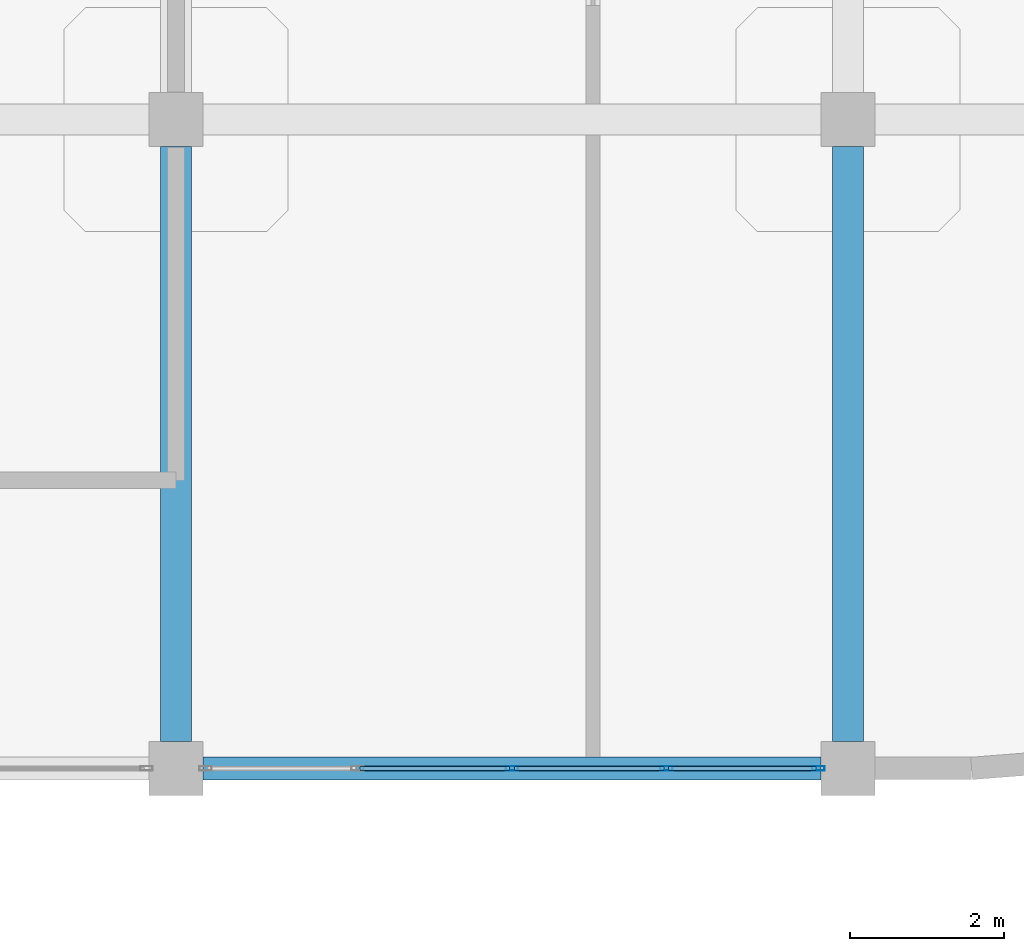
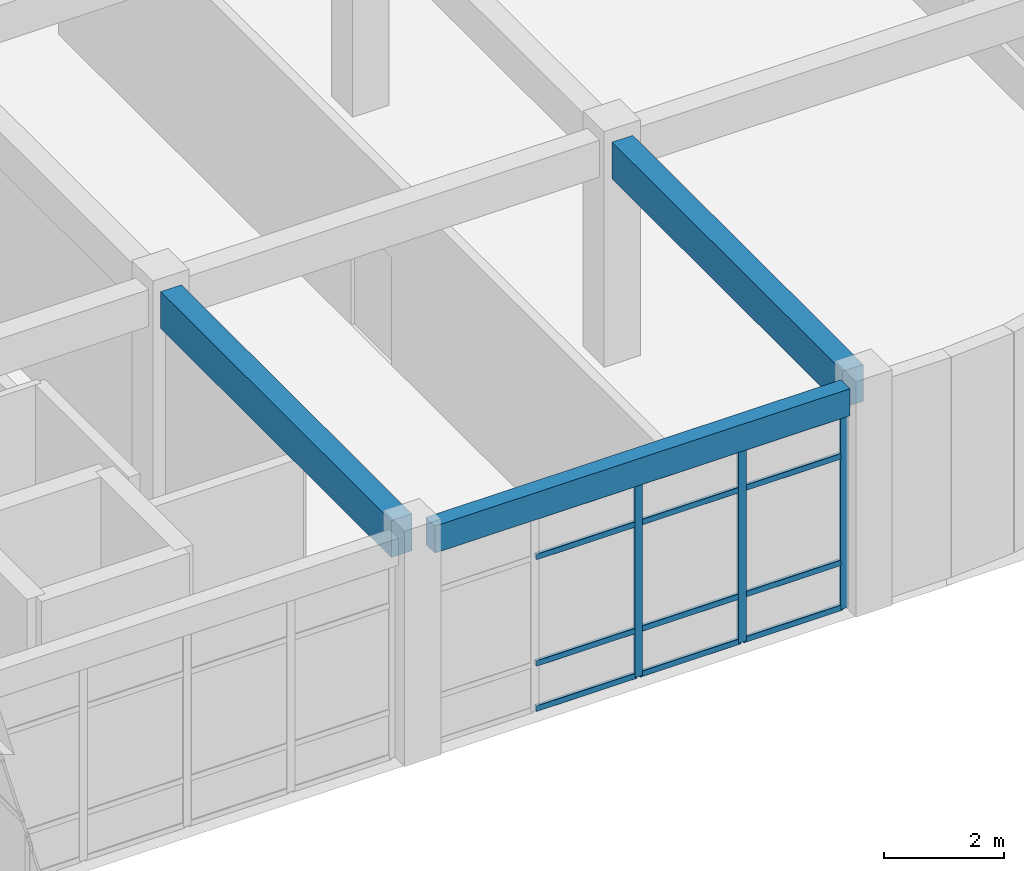
# One storey, part 41 of 64: 15 members, 3 beams, 1 element without a shape of its own.
"""IFC4 building model written with IfcOpenShell, lengths in metres."""

import ifcopenshell
import ifcopenshell.guid

model = None  # the IFC model being written
_history = None  # IfcOwnerHistory: only IFC2X3 demands one
_inside = {}  # id of a spatial element -> (the spatial element, [elements in it])
_under = {}  # id of a project, library or spatial element -> (it, [spatial elements below it])
_declared = {}  # id of a project -> (the project, [libraries it declares])
_typed = {}  # id of a type object -> (the type object, [elements of that type])
_made_of = {}  # id of a material, layer set ... -> (it, [elements and type objects made of it])


def new_model(schema):
    """Start an empty IFC model of exactly this schema.

    Asked for "IFC4X3", IfcOpenShell would pick the latest addendum, in which some entities
    have other attributes; the version numbers below select the first issue.
    IFC2X3 requires an IfcOwnerHistory on every rooted entity: one is made here for all.
    """
    global model, _history
    if schema == "IFC4X3":
        model = ifcopenshell.file(schema_version=(4, 3, 0, 0))
    else:
        model = ifcopenshell.file(schema=schema)
    _inside.clear()
    _under.clear()
    _declared.clear()
    _typed.clear()
    _made_of.clear()
    _history = None
    if model.schema == "IFC2X3":
        org = make("IfcOrganization", Name="unknown")
        user = make(
            "IfcPersonAndOrganization",
            ThePerson=make("IfcPerson", FamilyName="unknown"),
            TheOrganization=org,
        )
        app = make(
            "IfcApplication",
            ApplicationDeveloper=org,
            Version="unknown",
            ApplicationFullName="unknown",
            ApplicationIdentifier="unknown",
        )
        _history = make(
            "IfcOwnerHistory",
            OwningUser=user,
            OwningApplication=app,
            ChangeAction="ADDED",
            CreationDate=0,
        )
    return model


def make(cls, **values):
    """One entity of the class cls with the attributes given. An attribute that is None is left unset."""
    return model.create_entity(
        cls, **{name: value for name, value in values.items() if value is not None}
    )


def rooted(cls, **values):
    """An entity with a GlobalId (a new one), such as an element, a storey or a relation."""
    return make(cls, GlobalId=ifcopenshell.guid.new(), OwnerHistory=_history, **values)


def si_unit(unit_type, name, prefix=None):
    """IfcSIUnit, for example si_unit("LENGTHUNIT", "METRE", prefix="MILLI")."""
    return make("IfcSIUnit", UnitType=unit_type, Prefix=prefix, Name=name)


def derived_unit(unit_type, elements):
    """IfcDerivedUnit: a product of units, each with its exponent."""
    return make(
        "IfcDerivedUnit",
        Elements=[
            make("IfcDerivedUnitElement", Unit=unit, Exponent=power)
            for unit, power in elements
        ],
        UnitType=unit_type,
    )


def assignment(units):
    """IfcUnitAssignment: the units of a project."""
    return None if units is None else make("IfcUnitAssignment", Units=units)


def point(xyz):
    """IfcCartesianPoint."""
    return None if xyz is None else make("IfcCartesianPoint", Coordinates=xyz)


def direction(xyz):
    """IfcDirection."""
    return None if xyz is None else make("IfcDirection", DirectionRatios=xyz)


def frame(location, z_axis=None, x_axis=None):
    """IfcAxis2Placement3D, a coordinate frame: its origin and axes. An axis left out is left unset."""
    return make(
        "IfcAxis2Placement3D",
        Location=point(location),
        Axis=direction(z_axis),
        RefDirection=direction(x_axis),
    )


def frame_2d(location, x_axis=None):
    """IfcAxis2Placement2D, a coordinate frame in the plane: its origin and x axis."""
    return make(
        "IfcAxis2Placement2D", Location=point(location), RefDirection=direction(x_axis)
    )


def origin():
    """The frame at (0, 0, 0) with its axes left unset."""
    return frame((0.0, 0.0, 0.0))


def origin_2d():
    """The frame at (0, 0) in the plane with its x axis left unset."""
    return frame_2d((0.0, 0.0))


def place(relative_to, where):
    """IfcLocalPlacement: puts the frame where relative to a parent placement (None: the world)."""
    return make(
        "IfcLocalPlacement", PlacementRelTo=relative_to, RelativePlacement=where
    )


def context(
    kind, dimensions, precision=None, world=None, true_north=None, identifier=None
):
    """IfcGeometricRepresentationContext, for example the 3D "Model" context."""
    return make(
        "IfcGeometricRepresentationContext",
        ContextIdentifier=identifier,
        ContextType=kind,
        CoordinateSpaceDimension=dimensions,
        Precision=precision,
        WorldCoordinateSystem=world,
        TrueNorth=true_north,
    )


def subcontext(parent, identifier, kind, view, scale=None):
    """IfcGeometricRepresentationSubContext, for example "Body" below "Model"."""
    return make(
        "IfcGeometricRepresentationSubContext",
        ContextIdentifier=identifier,
        ContextType=kind,
        ParentContext=parent,
        TargetScale=scale,
        TargetView=view,
    )


def project(units=None, contexts=None):
    """IfcProject with its units and contexts."""
    return rooted(
        "IfcProject",
        Name="project",
        RepresentationContexts=contexts,
        UnitsInContext=assignment(units),
    )


def spatial(cls, under=None, at=None, **own):
    """A site, building, storey or space (cls), placed at a placement, below another one or the project."""
    s = rooted(cls, ObjectPlacement=at, **own)
    if under is not None:
        _under.setdefault(under.id(), (under, []))[1].append(s)
    return s


def profile(cls, at=None, kind="AREA", **sizes):
    """A parametric profile (cls). Its sizes go by their IFC names, for example OverallWidth=200.0."""
    return make(cls, ProfileType=kind, Position=at, **sizes)


def rectangle(**sizes):
    """IfcRectangleProfileDef."""
    return profile("IfcRectangleProfileDef", **sizes)


def hollow_rectangle(**sizes):
    """IfcRectangleHollowProfileDef."""
    return profile("IfcRectangleHollowProfileDef", **sizes)


def extrude(swept, where, along, depth):
    """IfcExtrudedAreaSolid: the profile swept, set in the frame where, extruded along a direction by depth."""
    return make(
        "IfcExtrudedAreaSolid",
        SweptArea=swept,
        Position=where,
        ExtrudedDirection=direction(along),
        Depth=depth,
    )


def shape(context_of_items, identifier, shape_type, items):
    """IfcShapeRepresentation: the items that make up one representation, for example the "Body"."""
    return make(
        "IfcShapeRepresentation",
        ContextOfItems=context_of_items,
        RepresentationIdentifier=identifier,
        RepresentationType=shape_type,
        Items=items,
    )


def material(Name=None, Category=None):
    """IfcMaterial."""
    return make("IfcMaterial", Name=Name, Category=Category)


def layer(
    of_material, thickness, ventilated=None, Name=None, Category=None, Priority=None
):
    """IfcMaterialLayer: one layer of a wall or slab, of a material (None: an air gap)."""
    return make(
        "IfcMaterialLayer",
        Material=of_material,
        LayerThickness=thickness,
        IsVentilated=ventilated,
        Name=Name,
        Category=Category,
        Priority=Priority,
    )


def layer_set(layers, Name=None):
    """IfcMaterialLayerSet."""
    return make("IfcMaterialLayerSet", MaterialLayers=layers, LayerSetName=Name)


def material_profile(
    of_material, cross_section, Name=None, Category=None, Priority=None
):
    """IfcMaterialProfile: a cross section and its material."""
    return make(
        "IfcMaterialProfile",
        Name=Name,
        Material=of_material,
        Profile=cross_section,
        Priority=Priority,
        Category=Category,
    )


def profile_set(profiles, Name=None, composite=None):
    """IfcMaterialProfileSet."""
    return make(
        "IfcMaterialProfileSet",
        Name=Name,
        MaterialProfiles=profiles,
        CompositeProfile=composite,
    )


def made_of(thing, what):
    """Note that an element or type object is made of a material, layer set ...; save() writes the relation."""
    if what is not None:
        _made_of.setdefault(what.id(), (what, []))[1].append(thing)
    return thing


def type_object(cls, material=None, **own):
    """A type object (cls), such as IfcWallType, which elements share."""
    return made_of(rooted(cls, **own), material)


def element(
    cls,
    number,
    at=None,
    inside=None,
    cuts=None,
    type_object=None,
    material=None,
    context=None,
    identifier="Body",
    shape_type=None,
    held_by="IfcProductDefinitionShape",
    body=None,
    shapes=None,
    **own,
):
    """One element of the class cls, such as IfcWall. Its Tag is "e" and its number.

    at: its placement. inside: the storey or other place that contains it. cuts: it is an
    opening in that element (IfcRelVoidsElement). A single representation is given by context,
    identifier, shape_type and body (its items); several are given by shapes. held_by: the class
    of the entity that holds the representations. save() writes the other relations.
    """
    e = rooted(cls, Tag="e%d" % number, ObjectPlacement=at, **own)
    if body is not None:
        shapes = [shape(context, identifier, shape_type, body)]
    if shapes is not None:
        e.Representation = make(held_by, Representations=shapes)
    if inside is not None:
        _inside.setdefault(inside.id(), (inside, []))[1].append(e)
    if cuts is not None:
        rooted(
            "IfcRelVoidsElement", RelatingBuildingElement=cuts, RelatedOpeningElement=e
        )
    if type_object is not None:
        _typed.setdefault(type_object.id(), (type_object, []))[1].append(e)
    return made_of(e, material)


def aggregate(whole, parts):
    """IfcRelAggregates: a whole, such as a stair, and the parts it consists of."""
    return rooted("IfcRelAggregates", RelatingObject=whole, RelatedObjects=parts)


def save(model, path):
    """Write the relations noted so far, then the file.

    IfcRelAggregates (storeys below a building ...), IfcRelContainedInSpatialStructure (elements
    in a storey), IfcRelDefinesByType, IfcRelAssociatesMaterial and IfcRelDeclares: one each for
    every whole, place, type object, material and project.
    """
    for whole, parts in _under.values():
        aggregate(whole, parts)
    for where, things in _inside.values():
        rooted(
            "IfcRelContainedInSpatialStructure",
            RelatedElements=things,
            RelatingStructure=where,
        )
    for kind, things in _typed.values():
        rooted("IfcRelDefinesByType", RelatedObjects=things, RelatingType=kind)
    for what, things in _made_of.values():
        rooted("IfcRelAssociatesMaterial", RelatedObjects=things, RelatingMaterial=what)
    for by, libraries in _declared.values():
        rooted("IfcRelDeclares", RelatingContext=by, RelatedDefinitions=libraries)
    model.write(path)


model = new_model("IFC4")

# Units and contexts
model_context = context("Model", 3, precision=1e-05, world=origin(), true_north=direction((0.0, 1.0)))
body_context = subcontext(model_context, "Body", "Model", "MODEL_VIEW")
ifc_project = project(units=[si_unit("LENGTHUNIT", "METRE"), si_unit("AREAUNIT", "SQUARE_METRE"), si_unit("VOLUMEUNIT", "CUBIC_METRE"), si_unit("PLANEANGLEUNIT", "RADIAN"), si_unit("MASSUNIT", "GRAM", prefix="KILO"), derived_unit("THERMALTRANSMITTANCEUNIT", [(si_unit("MASSUNIT", "GRAM", prefix="KILO"), 1), (si_unit("TIMEUNIT", "SECOND"), -3), (si_unit("THERMODYNAMICTEMPERATUREUNIT", "KELVIN"), -1)])], contexts=[model_context])

# Site, building, storey
site_placement = place(None, origin())
site = spatial("IfcSite", under=ifc_project, at=site_placement, CompositionType="ELEMENT")
building_placement = place(site_placement, origin())
building = spatial("IfcBuilding", under=site, at=building_placement, Name="Qinzheling Arcade Emporium", CompositionType="ELEMENT")
storey_placement = place(building_placement, frame((0.0, 0.0, 31.5)))
storey = spatial("IfcBuildingStorey", under=building, at=storey_placement, Name="L07", CompositionType="ELEMENT", Elevation=31.5)

# Curtain wall, members
ifc_material_1 = material(Name="Anodised aluminium and solar-control double glazing", Category="aluminium")
ifc_layer = layer(ifc_material_1, 0.159912109375, Name="Anodised aluminium and solar-control double glazing", Category="aluminium")
ifc_layer_set = layer_set([ifc_layer], Name="Anodised aluminium and solar-control double glazing")
curtain_wall_type = type_object("IfcCurtainWallType", Name="Arcade Portal Glazed Curtain Wall", PredefinedType="NOTDEFINED", material=ifc_layer_set)
curtain_wall_placement = place(storey_placement, origin())
curtain_wall = element("IfcCurtainWall", 1, at=curtain_wall_placement, inside=storey, type_object=curtain_wall_type, Name="Curtain Wall CW-L07-441", PredefinedType="NOTDEFINED")
ifc_material_2 = material(Name="Anodised aluminium 6063-T6", Category="aluminium")
ifc_material_profile_1 = material_profile(ifc_material_2, hollow_rectangle(XDim=0.06005859375, YDim=0.159912109375, WallThickness=0.00390625, InnerFilletRadius=0.00390625, OuterFilletRadius=0.008056640625, at=origin_2d()), Name="RHS 160x60x4", Category="aluminium")
ifc_profile_set_1 = profile_set([ifc_material_profile_1], Name="Anodised aluminium 6063-T6")
member_type_1 = type_object("IfcMemberType", Name="Curtain Wall Mullion RHS160x60", PredefinedType="MULLION", material=ifc_profile_set_1)
member_1_placement = place(storey_placement, frame((121.41796875, 73.800048828125, 0.0), z_axis=(0.0, 0.0, 1.0), x_axis=(0.0, -1.0, 0.0)))
member_1 = element("IfcMember", 2, at=member_1_placement, type_object=member_type_1, Name="CW05 mullion 1", PredefinedType="MULLION", context=body_context, shape_type="SweptSolid", body=[
    extrude(hollow_rectangle(XDim=0.06005859375, YDim=0.159912109375, WallThickness=0.00390625, InnerFilletRadius=0.00390625, OuterFilletRadius=0.008056640625, at=origin_2d()), origin(), (0.0, 0.0, 1.0), 3.969970703125),
])
member_2_placement = place(storey_placement, frame((119.448974609375, 73.800048828125, 0.0), z_axis=(0.0, 0.0, 1.0), x_axis=(0.0, -1.0, 0.0)))
member_2 = element("IfcMember", 3, at=member_2_placement, type_object=member_type_1, Name="CW05 mullion 2", PredefinedType="MULLION", context=body_context, shape_type="SweptSolid", body=[
    extrude(hollow_rectangle(XDim=0.06005859375, YDim=0.159912109375, WallThickness=0.00390625, InnerFilletRadius=0.00390625, OuterFilletRadius=0.008056640625, at=origin_2d()), origin(), (0.0, 0.0, 1.0), 3.969970703125),
])
member_3_placement = place(storey_placement, frame((117.449951171875, 73.800048828125, 0.0), z_axis=(0.0, 0.0, 1.0), x_axis=(0.0, -1.0, 0.0)))
member_3 = element("IfcMember", 4, at=member_3_placement, type_object=member_type_1, Name="CW05 mullion 3", PredefinedType="MULLION", context=body_context, shape_type="SweptSolid", body=[
    extrude(hollow_rectangle(XDim=0.06005859375, YDim=0.159912109375, WallThickness=0.00390625, InnerFilletRadius=0.00390625, OuterFilletRadius=0.008056640625, at=origin_2d()), origin(), (0.0, 0.0, 1.0), 3.969970703125),
])
ifc_material_profile_2 = material_profile(ifc_material_2, hollow_rectangle(XDim=0.06005859375, YDim=0.1201171875, WallThickness=0.00390625, InnerFilletRadius=0.00390625, OuterFilletRadius=0.008056640625, at=origin_2d()), Name="RHS 120x60x4", Category="aluminium")
ifc_profile_set_2 = profile_set([ifc_material_profile_2], Name="Anodised aluminium 6063-T6")
member_type_2 = type_object("IfcMemberType", Name="Curtain Wall Transom RHS120x60", PredefinedType="USERDEFINED", material=ifc_profile_set_2)
member_4_placement = place(storey_placement, frame((121.387939453125, 73.800048828125, 0.030029296875), z_axis=(-1.0, 0.0, 0.0), x_axis=(0.0, -1.0, 0.0)))
member_4 = element("IfcMember", 5, at=member_4_placement, type_object=member_type_2, Name="CW05 transom 1.1", ObjectType="TRANSOM", PredefinedType="USERDEFINED", context=body_context, shape_type="SweptSolid", body=[
    extrude(hollow_rectangle(XDim=0.06005859375, YDim=0.1201171875, WallThickness=0.00390625, InnerFilletRadius=0.00390625, OuterFilletRadius=0.008056640625, at=origin_2d()), origin(), (0.0, 0.0, 1.0), 1.908935546875),
])
member_5_placement = place(storey_placement, frame((121.387939453125, 73.800048828125, 0.949951171875), z_axis=(-1.0, 0.0, 0.0), x_axis=(0.0, -1.0, 0.0)))
member_5 = element("IfcMember", 6, at=member_5_placement, type_object=member_type_2, Name="CW05 transom 1.2", ObjectType="TRANSOM", PredefinedType="USERDEFINED", context=body_context, shape_type="SweptSolid", body=[
    extrude(hollow_rectangle(XDim=0.06005859375, YDim=0.1201171875, WallThickness=0.00390625, InnerFilletRadius=0.00390625, OuterFilletRadius=0.008056640625, at=origin_2d()), origin(), (0.0, 0.0, 1.0), 1.908935546875),
])
member_6_placement = place(storey_placement, frame((121.387939453125, 73.800048828125, 3.1201171875), z_axis=(-1.0, 0.0, 0.0), x_axis=(0.0, -1.0, 0.0)))
member_6 = element("IfcMember", 7, at=member_6_placement, type_object=member_type_2, Name="CW05 transom 1.3", ObjectType="TRANSOM", PredefinedType="USERDEFINED", context=body_context, shape_type="SweptSolid", body=[
    extrude(hollow_rectangle(XDim=0.06005859375, YDim=0.1201171875, WallThickness=0.00390625, InnerFilletRadius=0.00390625, OuterFilletRadius=0.008056640625, at=origin_2d()), origin(), (0.0, 0.0, 1.0), 1.908935546875),
])
member_7_placement = place(storey_placement, frame((121.387939453125, 73.800048828125, 3.93994140625), z_axis=(-1.0, 0.0, 0.0), x_axis=(0.0, -1.0, 0.0)))
member_7 = element("IfcMember", 8, at=member_7_placement, type_object=member_type_2, Name="CW05 transom 1.4", ObjectType="TRANSOM", PredefinedType="USERDEFINED", context=body_context, shape_type="SweptSolid", body=[
    extrude(hollow_rectangle(XDim=0.06005859375, YDim=0.1201171875, WallThickness=0.00390625, InnerFilletRadius=0.00390625, OuterFilletRadius=0.008056640625, at=origin_2d()), origin(), (0.0, 0.0, 1.0), 1.908935546875),
])
member_8_placement = place(storey_placement, frame((119.4189453125, 73.800048828125, 0.030029296875), z_axis=(-1.0, 0.0, 0.0), x_axis=(0.0, -1.0, 0.0)))
member_8 = element("IfcMember", 9, at=member_8_placement, type_object=member_type_2, Name="CW05 transom 2.1", ObjectType="TRANSOM", PredefinedType="USERDEFINED", context=body_context, shape_type="SweptSolid", body=[
    extrude(hollow_rectangle(XDim=0.06005859375, YDim=0.1201171875, WallThickness=0.00390625, InnerFilletRadius=0.00390625, OuterFilletRadius=0.008056640625, at=origin_2d()), origin(), (0.0, 0.0, 1.0), 1.93896484375),
])
member_9_placement = place(storey_placement, frame((119.4189453125, 73.800048828125, 0.949951171875), z_axis=(-1.0, 0.0, 0.0), x_axis=(0.0, -1.0, 0.0)))
member_9 = element("IfcMember", 10, at=member_9_placement, type_object=member_type_2, Name="CW05 transom 2.2", ObjectType="TRANSOM", PredefinedType="USERDEFINED", context=body_context, shape_type="SweptSolid", body=[
    extrude(hollow_rectangle(XDim=0.06005859375, YDim=0.1201171875, WallThickness=0.00390625, InnerFilletRadius=0.00390625, OuterFilletRadius=0.008056640625, at=origin_2d()), origin(), (0.0, 0.0, 1.0), 1.93896484375),
])
member_10_placement = place(storey_placement, frame((119.4189453125, 73.800048828125, 3.1201171875), z_axis=(-1.0, 0.0, 0.0), x_axis=(0.0, -1.0, 0.0)))
member_10 = element("IfcMember", 11, at=member_10_placement, type_object=member_type_2, Name="CW05 transom 2.3", ObjectType="TRANSOM", PredefinedType="USERDEFINED", context=body_context, shape_type="SweptSolid", body=[
    extrude(hollow_rectangle(XDim=0.06005859375, YDim=0.1201171875, WallThickness=0.00390625, InnerFilletRadius=0.00390625, OuterFilletRadius=0.008056640625, at=origin_2d()), origin(), (0.0, 0.0, 1.0), 1.93896484375),
])
member_11_placement = place(storey_placement, frame((119.4189453125, 73.800048828125, 3.93994140625), z_axis=(-1.0, 0.0, 0.0), x_axis=(0.0, -1.0, 0.0)))
member_11 = element("IfcMember", 12, at=member_11_placement, type_object=member_type_2, Name="CW05 transom 2.4", ObjectType="TRANSOM", PredefinedType="USERDEFINED", context=body_context, shape_type="SweptSolid", body=[
    extrude(hollow_rectangle(XDim=0.06005859375, YDim=0.1201171875, WallThickness=0.00390625, InnerFilletRadius=0.00390625, OuterFilletRadius=0.008056640625, at=origin_2d()), origin(), (0.0, 0.0, 1.0), 1.93896484375),
])
member_12_placement = place(storey_placement, frame((117.419921875, 73.800048828125, 0.030029296875), z_axis=(-1.0, 0.0, 0.0), x_axis=(0.0, -1.0, 0.0)))
member_12 = element("IfcMember", 13, at=member_12_placement, type_object=member_type_2, Name="CW05 transom 3.1", ObjectType="TRANSOM", PredefinedType="USERDEFINED", context=body_context, shape_type="SweptSolid", body=[
    extrude(hollow_rectangle(XDim=0.06005859375, YDim=0.1201171875, WallThickness=0.00390625, InnerFilletRadius=0.00390625, OuterFilletRadius=0.008056640625, at=origin_2d()), origin(), (0.0, 0.0, 1.0), 1.93896484375),
])
member_13_placement = place(storey_placement, frame((117.419921875, 73.800048828125, 0.949951171875), z_axis=(-1.0, 0.0, 0.0), x_axis=(0.0, -1.0, 0.0)))
member_13 = element("IfcMember", 14, at=member_13_placement, type_object=member_type_2, Name="CW05 transom 3.2", ObjectType="TRANSOM", PredefinedType="USERDEFINED", context=body_context, shape_type="SweptSolid", body=[
    extrude(hollow_rectangle(XDim=0.06005859375, YDim=0.1201171875, WallThickness=0.00390625, InnerFilletRadius=0.00390625, OuterFilletRadius=0.008056640625, at=origin_2d()), origin(), (0.0, 0.0, 1.0), 1.93896484375),
])
member_14_placement = place(storey_placement, frame((117.419921875, 73.800048828125, 3.1201171875), z_axis=(-1.0, 0.0, 0.0), x_axis=(0.0, -1.0, 0.0)))
member_14 = element("IfcMember", 15, at=member_14_placement, type_object=member_type_2, Name="CW05 transom 3.3", ObjectType="TRANSOM", PredefinedType="USERDEFINED", context=body_context, shape_type="SweptSolid", body=[
    extrude(hollow_rectangle(XDim=0.06005859375, YDim=0.1201171875, WallThickness=0.00390625, InnerFilletRadius=0.00390625, OuterFilletRadius=0.008056640625, at=origin_2d()), origin(), (0.0, 0.0, 1.0), 1.93896484375),
])
member_15_placement = place(storey_placement, frame((117.419921875, 73.800048828125, 3.93994140625), z_axis=(-1.0, 0.0, 0.0), x_axis=(0.0, -1.0, 0.0)))
member_15 = element("IfcMember", 16, at=member_15_placement, type_object=member_type_2, Name="CW05 transom 3.4", ObjectType="TRANSOM", PredefinedType="USERDEFINED", context=body_context, shape_type="SweptSolid", body=[
    extrude(hollow_rectangle(XDim=0.06005859375, YDim=0.1201171875, WallThickness=0.00390625, InnerFilletRadius=0.00390625, OuterFilletRadius=0.008056640625, at=origin_2d()), origin(), (0.0, 0.0, 1.0), 1.93896484375),
])
aggregate(curtain_wall, [member_1, member_2, member_3, member_4, member_5, member_6, member_7, member_8, member_9, member_10, member_11, member_12, member_13, member_14, member_15])

# Beams
ifc_material_3 = material(Name="Concrete C40", Category="concrete")
ifc_material_profile_3 = material_profile(ifc_material_3, rectangle(XDim=0.39990234375, YDim=0.75, at=origin_2d()), Name="RC 400x750", Category="concrete")
ifc_profile_set_3 = profile_set([ifc_material_profile_3], Name="Concrete C40")
beam_type_1 = type_object("IfcBeamType", Name="RC Interior Tie Beam 400x750 C40", PredefinedType="BEAM", material=ifc_profile_set_3)
for number, where, z_axis, x_axis, name in (
    (17, (113.10009765625, 74.14990234375, 4.159912109375), (0.0, 1.0, 0.0), (-1.0, 0.0, 0.0), "Beam BM-L07-Y-14-J"),
    (18, (121.800048828125, 74.14990234375, 4.159912109375), (0.0, 1.0, 0.0), (-1.0, 0.0, 0.0), "Beam BM-L07-Y-15-J"),
):
    element("IfcBeam", number, at=place(storey_placement, frame(where, z_axis=z_axis, x_axis=x_axis)), inside=storey, type_object=beam_type_1, Name=name, PredefinedType="BEAM", context=body_context, shape_type="SweptSolid", body=[
        extrude(rectangle(XDim=0.39990234375, YDim=0.75, at=origin_2d()), origin(), (0.0, 0.0, 1.0), 7.7001953125),
    ])
ifc_material_profile_4 = material_profile(ifc_material_3, rectangle(XDim=0.300048828125, YDim=0.550048828125, at=origin_2d()), Name="RC 300x550", Category="concrete")
ifc_profile_set_4 = profile_set([ifc_material_profile_4], Name="Concrete C40")
beam_type_2 = type_object("IfcBeamType", Name="RC Terrace Spandrel Beam 300x550 C40", PredefinedType="SPANDREL", material=ifc_profile_set_4)
beam_placement = place(storey_placement, frame((113.449951171875, 73.800048828125, 4.260009765625), z_axis=(1.0, 0.0, 0.0), x_axis=(0.0, 1.0, 0.0)))
element("IfcBeam", 19, at=beam_placement, inside=storey, type_object=beam_type_2, Name="Beam BM-L07-X-J-14", PredefinedType="SPANDREL", context=body_context, shape_type="SweptSolid", body=[
    extrude(rectangle(XDim=0.300048828125, YDim=0.550048828125, at=origin_2d()), origin(), (0.0, 0.0, 1.0), 8.0),
])

save(model, "model.ifc")
